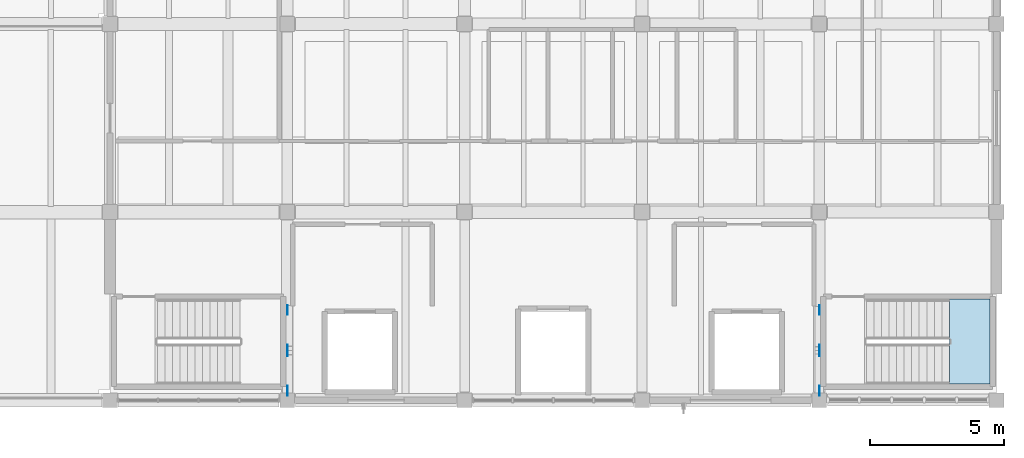
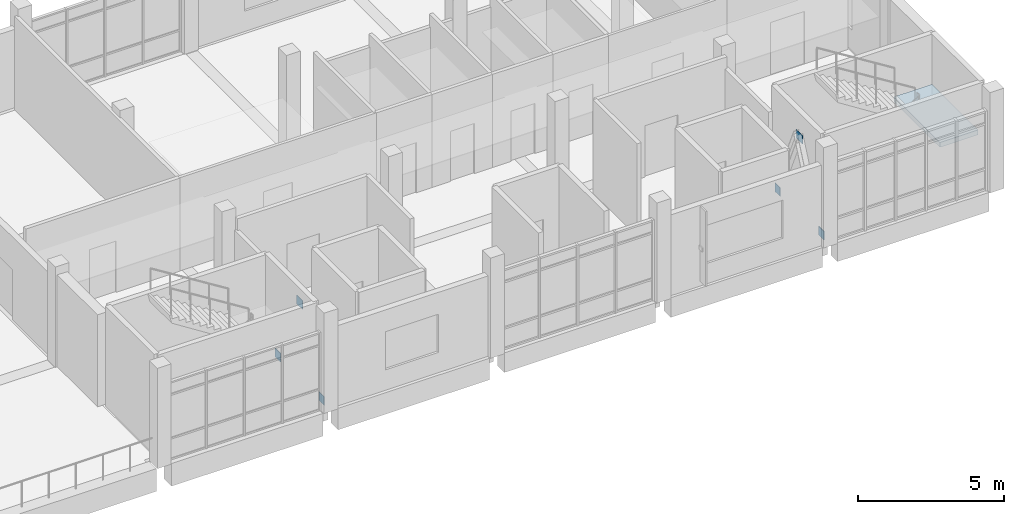
# One storey, part 7 of 12: 6 plates, 1 slab, 1 element without a shape of its own.
"""IFC4 building model written with IfcOpenShell, lengths in metres."""

from ifc_helpers import new_model, si_unit, direction, frame, origin, origin_2d, place, context, subcontext, project, spatial, polyline, rectangle, outline, extrude, material, layer, layer_set, type_object, element, aggregate, save


model = new_model("IFC4")

# Units and contexts
model_context = context("Model", 3, precision=1e-05, world=origin(), true_north=direction((0.0, 1.0)))
body_context = subcontext(model_context, "Body", "Model", "MODEL_VIEW")
ifc_project = project(units=[si_unit("LENGTHUNIT", "METRE"), si_unit("AREAUNIT", "SQUARE_METRE"), si_unit("VOLUMEUNIT", "CUBIC_METRE"), si_unit("PLANEANGLEUNIT", "RADIAN"), si_unit("MASSUNIT", "GRAM", prefix="KILO")], contexts=[model_context])

# Site, building, storey
site_placement = place(None, origin())
site = spatial("IfcSite", under=ifc_project, at=site_placement, CompositionType="ELEMENT")
building_placement = place(site_placement, origin())
building = spatial("IfcBuilding", under=site, at=building_placement, Name="Ciguamira Faculty of Natural Sciences", CompositionType="ELEMENT")
storey_placement = place(building_placement, frame((0.0, 0.0, 37.800048828125)))
storey = spatial("IfcBuildingStorey", under=building, at=storey_placement, Name="L09", CompositionType="ELEMENT", Elevation=37.800048828125)

# Plates
ifc_material_1 = material(Name="Steel ASTM A572 Grade 50", Category="steel")
ifc_layer_1 = layer(ifc_material_1, 0.02001953125, Name="Steel ASTM A572 Grade 50")
ifc_layer_set_1 = layer_set([ifc_layer_1], Name="Steel ASTM A572 Grade 50")
plate_type = type_object("IfcPlateType", Name="GussetPlate_EP-02", PredefinedType="SHEET", material=ifc_layer_set_1)
plate_1_placement = place(storey_placement, frame((77.10009765625, 95.85009765625, 3.10009765625), z_axis=(0.0, 0.0, 1.0), x_axis=(1.0, 0.0, 0.0)))
element("IfcPlate", 1, at=plate_1_placement, inside=storey, type_object=plate_type, Name="L09 chevron brace apex gusset plate 021", PredefinedType="SHEET", context=body_context, shape_type="SweptSolid", body=[
    extrude(rectangle(XDim=0.02001953125, YDim=0.419921875, at=origin_2d()), origin(), (0.0, 0.0, 1.0), 0.360107421875),
])
for number, where, z_axis, x_axis, name in (
    (2, (77.10009765625, 94.35009765625, -0.02001953125), (0.0, 0.0, 1.0), (1.0, 0.0, 0.0), "L09 chevron brace base gusset plate 041"),
    (3, (77.10009765625, 97.35009765625, -0.02001953125), (0.0, 0.0, 1.0), (1.0, 0.0, 0.0), "L09 chevron brace base gusset plate 042"),
):
    element("IfcPlate", number, at=place(storey_placement, frame(where, z_axis=z_axis, x_axis=x_axis)), inside=storey, type_object=plate_type, Name=name, PredefinedType="SHEET", context=body_context, shape_type="SweptSolid", body=[
        extrude(rectangle(XDim=0.02001953125, YDim=0.360107421875, at=origin_2d()), origin(), (0.0, 0.0, 1.0), 0.360107421875),
    ])
plate_2_placement = place(storey_placement, frame((96.89990234375, 95.85009765625, 3.10009765625), z_axis=(0.0, 0.0, 1.0), x_axis=(1.0, 0.0, 0.0)))
element("IfcPlate", 4, at=plate_2_placement, inside=storey, type_object=plate_type, Name="L09 chevron brace apex gusset plate 022", PredefinedType="SHEET", context=body_context, shape_type="SweptSolid", body=[
    extrude(rectangle(XDim=0.02001953125, YDim=0.419921875, at=origin_2d()), origin(), (0.0, 0.0, 1.0), 0.360107421875),
])
for number, where, z_axis, x_axis, name in (
    (5, (96.89990234375, 94.35009765625, -0.02001953125), (0.0, 0.0, 1.0), (1.0, 0.0, 0.0), "L09 chevron brace base gusset plate 043"),
    (6, (96.89990234375, 97.35009765625, -0.02001953125), (0.0, 0.0, 1.0), (1.0, 0.0, 0.0), "L09 chevron brace base gusset plate 044"),
):
    element("IfcPlate", number, at=place(storey_placement, frame(where, z_axis=z_axis, x_axis=x_axis)), inside=storey, type_object=plate_type, Name=name, PredefinedType="SHEET", context=body_context, shape_type="SweptSolid", body=[
        extrude(rectangle(XDim=0.02001953125, YDim=0.360107421875, at=origin_2d()), origin(), (0.0, 0.0, 1.0), 0.360107421875),
    ])

# Stair, slab
ifc_material_2 = material(Name="Concrete C40/50", Category="concrete")
stair_type = type_object("IfcStairType", Name="Stair_STR-02", PredefinedType="HALF_TURN_STAIR", material=ifc_material_2)
stair_placement = place(storey_placement, origin())
stair = element("IfcStair", 7, at=stair_placement, inside=storey, type_object=stair_type, Name="L09 Tower East Exit Stair", PredefinedType="HALF_TURN_STAIR")
ifc_layer_2 = layer(ifc_material_2, 0.199951171875, Name="Concrete C40/50")
ifc_layer_set_2 = layer_set([ifc_layer_2], Name="Concrete C40/50")
slab_type = type_object("IfcSlabType", Name="StairLanding_SLD01", PredefinedType="LANDING", material=ifc_layer_set_2)
slab_placement = place(storey_placement, frame((0.0, 0.0, 1.89990234375)))
slab = element("IfcSlab", 8, at=slab_placement, type_object=slab_type, Name="ST-T2 landing 1", PredefinedType="LANDING", context=body_context, shape_type="SweptSolid", body=[
    extrude(outline(polyline([(101.739990234375, 94.60009765625), (103.25, 94.60009765625), (103.25, 97.760009765625), (101.739990234375, 97.760009765625), (101.739990234375, 94.60009765625)])), origin(), (0.0, 0.0, 1.0), 0.199951171875),
])
aggregate(stair, [slab])

save(model, "model.ifc")
